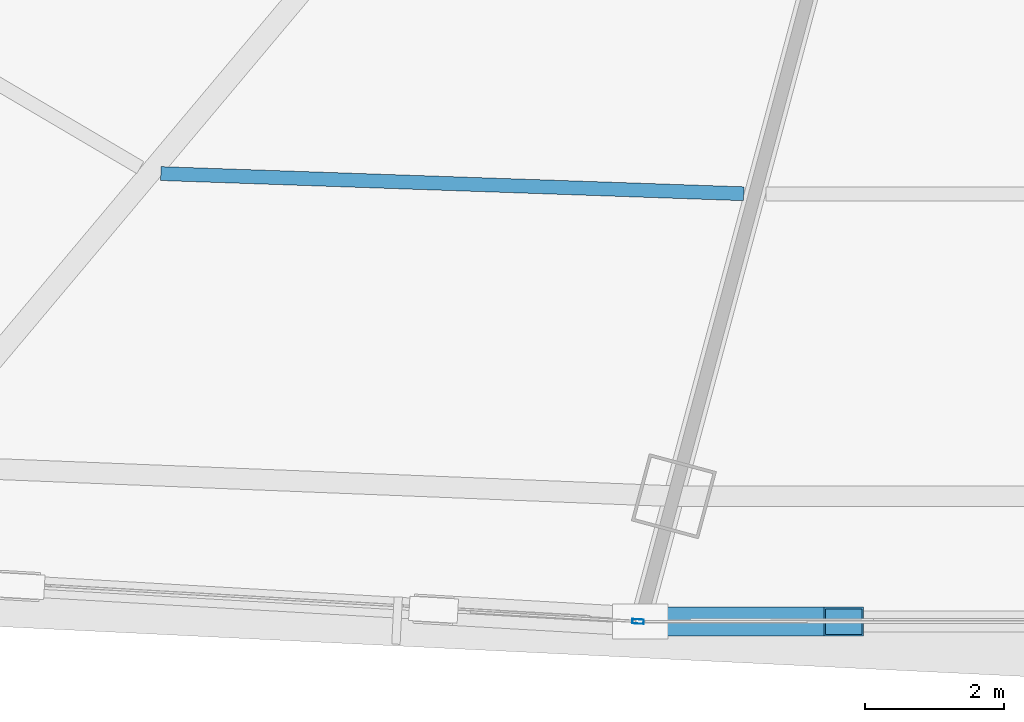
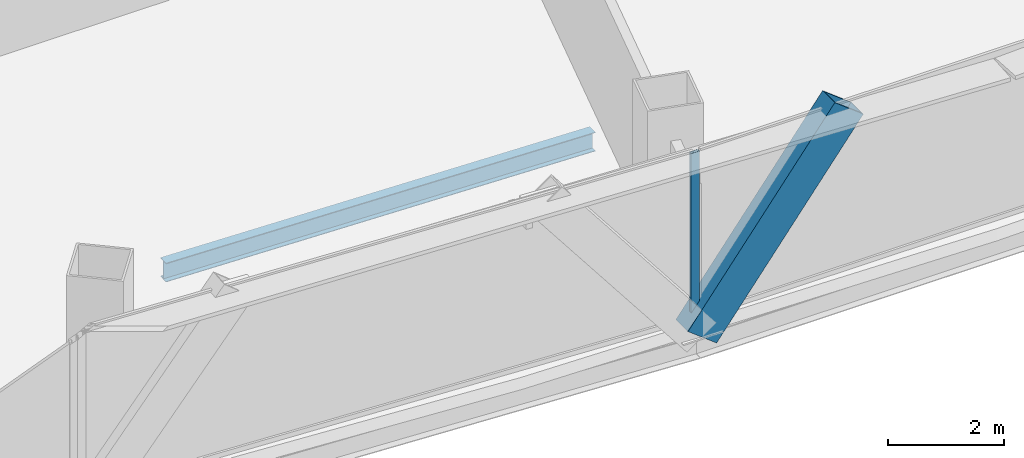
# One storey, part 8 of 39: 2 members, 1 beam, 1 element without a shape of its own.
"""IFC4 building model written with IfcOpenShell, lengths in metres."""

from ifc_helpers import new_model, si_unit, direction, frame, origin, origin_2d, place, context, subcontext, project, spatial, hollow_rectangle, i_section, extrude, source, transform, mapped, material, layer, layer_set, material_profile, profile_set, type_object, element, aggregate, save


model = new_model("IFC4")

# Units and contexts
model_context = context("Model", 3, precision=1e-05, world=origin(), true_north=direction((0.0, 1.0)))
body_context = subcontext(model_context, "Body", "Model", "MODEL_VIEW")
ifc_project = project(units=[si_unit("LENGTHUNIT", "METRE"), si_unit("AREAUNIT", "SQUARE_METRE"), si_unit("VOLUMEUNIT", "CUBIC_METRE"), si_unit("PLANEANGLEUNIT", "RADIAN"), si_unit("MASSUNIT", "GRAM", prefix="KILO"), si_unit("THERMODYNAMICTEMPERATUREUNIT", "KELVIN"), si_unit("POWERUNIT", "WATT")], contexts=[model_context])

# Site, building, storey
site_placement = place(None, origin())
site = spatial("IfcSite", under=ifc_project, at=site_placement, CompositionType="ELEMENT")
building_placement = place(site_placement, origin())
building = spatial("IfcBuilding", under=site, at=building_placement, Name="Yunzhuo Pagoda Commons", CompositionType="ELEMENT")
storey_placement = place(building_placement, frame((0.0, 0.0, 96.3798828125)))
storey = spatial("IfcBuildingStorey", under=building, at=storey_placement, Name="L24", CompositionType="ELEMENT", Elevation=96.3798828125)

# Beam
ifc_material_1 = material(Name="Structural steel Q355B", Category="steel")
ifc_material_profile_1 = material_profile(ifc_material_1, i_section(OverallWidth=0.199951171875, OverallDepth=0.39990234375, WebThickness=0.008056640625, FlangeThickness=0.012939453125, at=origin_2d()), Name="Structural steel Q355B")
ifc_profile_set_1 = profile_set([ifc_material_profile_1], Name="Structural steel Q355B")
beam_type = type_object("IfcBeamType", Name="B-JS1 Joist HN 400x200x8x13", PredefinedType="JOIST", material=ifc_profile_set_1)
shared_shape_1 = source(origin(), body_context, "Body", "SweptSolid", [
    extrude(i_section(OverallWidth=0.199951171875, OverallDepth=0.39990234375, WebThickness=0.008056640625, FlangeThickness=0.012939453125, at=origin_2d()), origin(), (0.0, 0.0, 1.0), 8.392822265625),
])
beam_placement = place(storey_placement, frame((35.25048828125, 18.310791015625, -0.4599609375), z_axis=(0.999400667027, -0.034616567521, 0.0), x_axis=(0.034616567521, 0.999400667027, 0.0)))
element("IfcBeam", 1, at=beam_placement, inside=storey, type_object=beam_type, Name="L24 composite ring joist 2.1", PredefinedType="JOIST", context=body_context, shape_type="MappedRepresentation", body=[
    mapped(shared_shape_1, transform((0.0, 0.0, 0.0), scale=1.0)),
])

# Member
ifc_material_2 = material(Name="Structural steel Q420B", Category="steel")
ifc_material_profile_2 = material_profile(ifc_material_2, hollow_rectangle(XDim=0.419921875, YDim=0.719970703125, WallThickness=0.028076171875, at=origin_2d()), Name="Structural steel Q420B")
ifc_profile_set_2 = profile_set([ifc_material_profile_2], Name="Structural steel Q420B")
member_type_1 = type_object("IfcMemberType", Name="M-DL1 Brace BOX 720x420x28", PredefinedType="BRACE", material=ifc_profile_set_2)
shared_shape_2 = source(origin(), body_context, "Body", "SweptSolid", [
    extrude(hollow_rectangle(XDim=0.419921875, YDim=0.719970703125, WallThickness=0.028076171875, at=origin_2d()), origin(), (0.0, 0.0, 1.0), 4.795654296875),
])
member_1_placement = place(storey_placement, frame((42.149169921875, 11.8642578125, -0.259765625), z_axis=(0.610052689572, 0.0, 0.792360849579), x_axis=(0.0, 1.0, 0.0)))
element("IfcMember", 2, at=member_1_placement, inside=storey, type_object=member_type_1, Name="L24 facade diamond brace F1.2L", PredefinedType="BRACE", context=body_context, shape_type="MappedRepresentation", body=[
    mapped(shared_shape_2, transform((0.0, 0.0, 0.0), scale=1.0)),
])

# Curtain wall, member
ifc_material_3 = material(Name="Anodized aluminium 6063-T6", Category="aluminium")
ifc_layer = layer(ifc_material_3, 0.1650390625)
ifc_layer_set = layer_set([ifc_layer], Name="Anodized aluminium 6063-T6")
curtain_wall_type = type_object("IfcCurtainWallType", Name="CW-LOW Low-Zone Ribbon Curtain Wall", PredefinedType="NOTDEFINED", material=ifc_layer_set)
curtain_wall_placement = place(storey_placement, origin())
curtain_wall = element("IfcCurtainWall", 3, at=curtain_wall_placement, inside=storey, type_object=curtain_wall_type, Name="L24 curtain wall CW-L24-F1B2", PredefinedType="NOTDEFINED")
ifc_material_profile_3 = material_profile(ifc_material_3, hollow_rectangle(XDim=0.06494140625, YDim=0.1650390625, WallThickness=0.00390625, at=origin_2d()), Name="Anodized aluminium 6063-T6")
ifc_profile_set_3 = profile_set([ifc_material_profile_3], Name="Anodized aluminium 6063-T6")
member_type_2 = type_object("IfcMemberType", Name="CW-LOW-M Mullion RHS 165x65x4", PredefinedType="MULLION", material=ifc_profile_set_3)
shared_shape_3 = source(origin(), body_context, "Body", "SweptSolid", [
    extrude(hollow_rectangle(XDim=0.06494140625, YDim=0.1650390625, WallThickness=0.00390625, at=origin_2d()), origin(), (0.0, 0.0, 1.0), 3.5400390625),
])
member_2_placement = place(storey_placement, frame((42.11669921875, 11.865966796875, 0.0), z_axis=(0.0, 0.0, 1.0), x_axis=(0.057299493103, 0.998357034377, 0.0)))
member_2 = element("IfcMember", 4, at=member_2_placement, type_object=member_type_2, Name="CW mullion 2", PredefinedType="MULLION", context=body_context, shape_type="MappedRepresentation", body=[
    mapped(shared_shape_3, transform((0.0, 0.0, 0.0), scale=1.0)),
])
aggregate(curtain_wall, [member_2])

save(model, "model.ifc")
